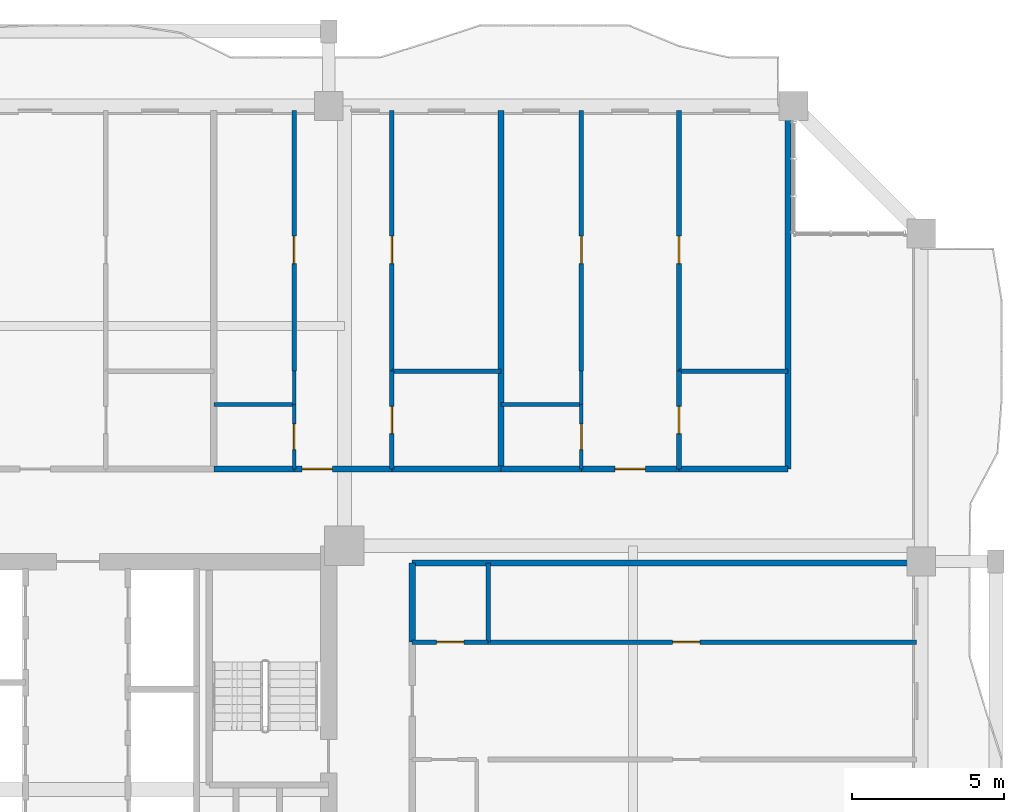
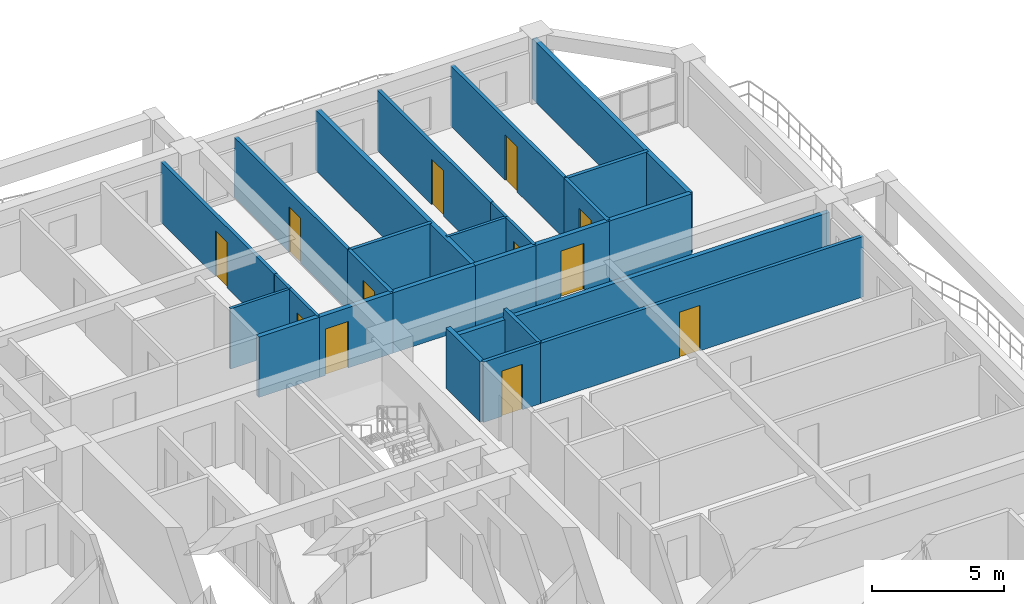
# One storey, part 20 of 26: 27 walls, 12 doors, 12 openings.
"""IFC4 building model written with IfcOpenShell, lengths in metres."""

from ifc_helpers import new_model, si_unit, direction, frame, frame_2d, origin, place, context, subcontext, project, spatial, rectangle, extrude, source, transform, mapped, material, layer, layer_set, type_object, element, fill, save


model = new_model("IFC4")

# Units and contexts
model_context = context("Model", 3, precision=1e-05, world=origin(), true_north=direction((0.0, 1.0)))
body_context = subcontext(model_context, "Body", "Model", "MODEL_VIEW")
ifc_project = project(units=[si_unit("LENGTHUNIT", "METRE"), si_unit("AREAUNIT", "SQUARE_METRE"), si_unit("VOLUMEUNIT", "CUBIC_METRE"), si_unit("PLANEANGLEUNIT", "RADIAN"), si_unit("MASSUNIT", "GRAM", prefix="KILO")], contexts=[model_context])

# Site, building, storey
site_placement = place(None, origin())
site = spatial("IfcSite", under=ifc_project, at=site_placement, CompositionType="ELEMENT")
building_placement = place(site_placement, origin())
building = spatial("IfcBuilding", under=site, at=building_placement, Name="Saelheon Loggia Tower", CompositionType="ELEMENT")
storey_placement = place(building_placement, frame((0.0, 0.0, 89.85009765625)))
storey = spatial("IfcBuildingStorey", under=building, at=storey_placement, Name="L28", CompositionType="ELEMENT", Elevation=89.85009765625)

# Wall
ifc_material_1 = material(Name="Lightweight Autoclaved Aerated Concrete Block and Acoustic Gypsum", Category="concrete")
ifc_layer_1 = layer(ifc_material_1, 0.14990234375)
ifc_layer_set_1 = layer_set([ifc_layer_1], Name="Lightweight Autoclaved Aerated Concrete Block and Acoustic Gypsum")
wall_type_1 = type_object("IfcWallType", Name="Wall_Part_150", PredefinedType="PARTITIONING", material=ifc_layer_set_1)
wall_1_placement = place(storey_placement, frame((46.577880859375, 42.27001953125, 0.0), z_axis=(0.0, 0.0, 1.0), x_axis=(1.0, 0.0, 0.0)))
element("IfcWall", 1, at=wall_1_placement, inside=storey, type_object=wall_type_1, Name="L28 N Partition V31", PredefinedType="PARTITIONING", context=body_context, shape_type="SweptSolid", body=[
    extrude(rectangle(XDim=3.59130859375, YDim=0.14990234375, at=frame_2d((1.795654296875, 0.0))), origin(), (0.0, 0.0, 1.0), 2.789794921875),
])

# Wall, opening, door
wall_2_placement = place(storey_placement, frame((43.36474609375, 42.27001953125, 0.0), z_axis=(0.0, 0.0, 1.0), x_axis=(0.0, 1.0, 0.0)))
wall_2 = element("IfcWall", 2, at=wall_2_placement, inside=storey, type_object=wall_type_1, Name="L28 N Partition U34", PredefinedType="PARTITIONING", context=body_context, shape_type="SweptSolid", body=[
    extrude(rectangle(XDim=8.580078125, YDim=0.14990234375, at=frame_2d((4.2900390625, 0.0))), origin(), (0.0, 0.0, 1.0), 2.789794921875),
])
opening_1_placement = place(wall_2_placement, frame((3.5400390625, 0.0, 0.0)))
opening_1 = element("IfcOpeningElement", 3, at=opening_1_placement, cuts=wall_2, Name="Opening D-IN2", PredefinedType="OPENING", context=body_context, shape_type="SweptSolid", body=[
    extrude(rectangle(XDim=0.89990234375, YDim=2.10009765625, at=frame_2d((0.449951171875, 1.050048828125))), frame((0.0, 0.0869140625, 0.0), z_axis=(0.0, -1.0, 0.0), x_axis=(1.0, 0.0, 0.0)), (0.0, 0.0, 1.0), 0.173828125),
])
ifc_material_2 = material(Name="Engineered Oak Flush Door", Category="timber")
door_type_1 = type_object("IfcDoorType", Name="Door_Int_900", OperationType="NOTDEFINED", PredefinedType="DOOR", material=ifc_material_2)
shared_shape_1 = source(origin(), body_context, "Body", "SweptSolid", [
    extrude(rectangle(XDim=0.89990234375, YDim=2.10009765625, at=frame_2d((0.449951171875, 1.050048828125))), frame((0.0, 0.02490234375, 0.0), z_axis=(0.0, -1.0, 0.0), x_axis=(1.0, 0.0, 0.0)), (0.0, 0.0, 1.0), 0.050048828125),
])
door_1_placement = place(opening_1_placement, origin())
door_1 = element("IfcDoor", 4, at=door_1_placement, inside=storey, type_object=door_type_1, Name="Unit U07 Kitchen Door", OperationType="SINGLE_SWING_RIGHT", OverallHeight=2.10009765625, OverallWidth=0.89990234375, PredefinedType="DOOR", context=body_context, shape_type="MappedRepresentation", body=[
    mapped(shared_shape_1, transform((0.0, 0.0, 0.0), scale=1.0)),
])
fill(opening_1, door_1)

wall_3_placement = place(storey_placement, frame((46.577880859375, 39.050048828125, 0.0), z_axis=(0.0, 0.0, 1.0), x_axis=(0.0, 1.0, 0.0)))
wall_3 = element("IfcWall", 5, at=wall_3_placement, inside=storey, type_object=wall_type_1, Name="L28 N Partition U35", PredefinedType="PARTITIONING", context=body_context, shape_type="SweptSolid", body=[
    extrude(rectangle(XDim=3.219970703125, YDim=0.14990234375, at=frame_2d((1.60986328125, 0.0))), origin(), (0.0, 0.0, 1.0), 2.789794921875),
])
opening_2_placement = place(wall_3_placement, frame((1.159912109375, 0.0, 0.0)))
opening_2 = element("IfcOpeningElement", 6, at=opening_2_placement, cuts=wall_3, Name="Opening D-IN2", PredefinedType="OPENING", context=body_context, shape_type="SweptSolid", body=[
    extrude(rectangle(XDim=0.89990234375, YDim=2.10009765625, at=frame_2d((0.449951171875, 1.050048828125))), frame((0.0, 0.0869140625, 0.0), z_axis=(0.0, -1.0, 0.0), x_axis=(1.0, 0.0, 0.0)), (0.0, 0.0, 1.0), 0.173828125),
])
door_2_placement = place(opening_2_placement, origin())
door_2 = element("IfcDoor", 7, at=door_2_placement, inside=storey, type_object=door_type_1, Name="Unit U07 Dressing Closet Door", OperationType="SINGLE_SWING_LEFT", OverallHeight=2.10009765625, OverallWidth=0.89990234375, PredefinedType="DOOR", context=body_context, shape_type="MappedRepresentation", body=[
    mapped(shared_shape_1, transform((0.0, 0.0, 0.0), scale=1.0)),
])
fill(opening_2, door_2)

wall_4_placement = place(storey_placement, frame((46.577880859375, 42.27001953125, 0.0), z_axis=(0.0, 0.0, 1.0), x_axis=(0.0, 1.0, 0.0)))
wall_4 = element("IfcWall", 8, at=wall_4_placement, inside=storey, type_object=wall_type_1, Name="L28 N Partition U36", PredefinedType="PARTITIONING", context=body_context, shape_type="SweptSolid", body=[
    extrude(rectangle(XDim=8.580078125, YDim=0.14990234375, at=frame_2d((4.2900390625, 0.0))), origin(), (0.0, 0.0, 1.0), 2.789794921875),
])
opening_3_placement = place(wall_4_placement, frame((3.5400390625, 0.0, 0.0)))
opening_3 = element("IfcOpeningElement", 9, at=opening_3_placement, cuts=wall_4, Name="Opening D-IN2", PredefinedType="OPENING", context=body_context, shape_type="SweptSolid", body=[
    extrude(rectangle(XDim=0.89990234375, YDim=2.10009765625, at=frame_2d((0.449951171875, 1.050048828125))), frame((0.0, 0.0869140625, 0.0), z_axis=(0.0, -1.0, 0.0), x_axis=(1.0, 0.0, 0.0)), (0.0, 0.0, 1.0), 0.173828125),
])
door_3_placement = place(opening_3_placement, origin())
door_3 = element("IfcDoor", 10, at=door_3_placement, inside=storey, type_object=door_type_1, Name="Unit U07 Bedroom 1 Door", OperationType="SINGLE_SWING_RIGHT", OverallHeight=2.10009765625, OverallWidth=0.89990234375, PredefinedType="DOOR", context=body_context, shape_type="MappedRepresentation", body=[
    mapped(shared_shape_1, transform((0.0, 0.0, 0.0), scale=1.0)),
])
fill(opening_3, door_3)

# Wall
wall_5_placement = place(storey_placement, frame((56.02880859375, 42.27001953125, 0.0), z_axis=(0.0, 0.0, 1.0), x_axis=(1.0, 0.0, 0.0)))
element("IfcWall", 11, at=wall_5_placement, inside=storey, type_object=wall_type_1, Name="L28 N Partition V42", PredefinedType="PARTITIONING", context=body_context, shape_type="SweptSolid", body=[
    extrude(rectangle(XDim=3.59130859375, YDim=0.14990234375, at=frame_2d((1.795654296875, 0.0))), origin(), (0.0, 0.0, 1.0), 2.789794921875),
])

# Wall, opening, door
wall_6_placement = place(storey_placement, frame((52.8154296875, 42.27001953125, 0.0), z_axis=(0.0, 0.0, 1.0), x_axis=(0.0, 1.0, 0.0)))
wall_6 = element("IfcWall", 12, at=wall_6_placement, inside=storey, type_object=wall_type_1, Name="L28 N Partition U45", PredefinedType="PARTITIONING", context=body_context, shape_type="SweptSolid", body=[
    extrude(rectangle(XDim=8.580078125, YDim=0.14990234375, at=frame_2d((4.2900390625, 0.0))), origin(), (0.0, 0.0, 1.0), 2.789794921875),
])
opening_4_placement = place(wall_6_placement, frame((3.5400390625, 0.0, 0.0)))
opening_4 = element("IfcOpeningElement", 13, at=opening_4_placement, cuts=wall_6, Name="Opening D-IN2", PredefinedType="OPENING", context=body_context, shape_type="SweptSolid", body=[
    extrude(rectangle(XDim=0.89990234375, YDim=2.10009765625, at=frame_2d((0.449951171875, 1.050048828125))), frame((0.0, 0.0869140625, 0.0), z_axis=(0.0, -1.0, 0.0), x_axis=(1.0, 0.0, 0.0)), (0.0, 0.0, 1.0), 0.173828125),
])
door_4_placement = place(opening_4_placement, origin())
door_4 = element("IfcDoor", 14, at=door_4_placement, inside=storey, type_object=door_type_1, Name="Unit U08 Kitchen Door", OperationType="SINGLE_SWING_LEFT", OverallHeight=2.10009765625, OverallWidth=0.89990234375, PredefinedType="DOOR", context=body_context, shape_type="MappedRepresentation", body=[
    mapped(shared_shape_1, transform((0.0, 0.0, 0.0), scale=1.0)),
])
fill(opening_4, door_4)

wall_7_placement = place(storey_placement, frame((56.02880859375, 39.050048828125, 0.0), z_axis=(0.0, 0.0, 1.0), x_axis=(0.0, 1.0, 0.0)))
wall_7 = element("IfcWall", 15, at=wall_7_placement, inside=storey, type_object=wall_type_1, Name="L28 N Partition U46", PredefinedType="PARTITIONING", context=body_context, shape_type="SweptSolid", body=[
    extrude(rectangle(XDim=3.219970703125, YDim=0.14990234375, at=frame_2d((1.60986328125, 0.0))), origin(), (0.0, 0.0, 1.0), 2.789794921875),
])
opening_5_placement = place(wall_7_placement, frame((1.159912109375, 0.0, 0.0)))
opening_5 = element("IfcOpeningElement", 16, at=opening_5_placement, cuts=wall_7, Name="Opening D-IN2", PredefinedType="OPENING", context=body_context, shape_type="SweptSolid", body=[
    extrude(rectangle(XDim=0.89990234375, YDim=2.10009765625, at=frame_2d((0.449951171875, 1.050048828125))), frame((0.0, 0.0869140625, 0.0), z_axis=(0.0, -1.0, 0.0), x_axis=(1.0, 0.0, 0.0)), (0.0, 0.0, 1.0), 0.173828125),
])
door_5_placement = place(opening_5_placement, origin())
door_5 = element("IfcDoor", 17, at=door_5_placement, inside=storey, type_object=door_type_1, Name="Unit U08 Dressing Closet Door", OperationType="SINGLE_SWING_RIGHT", OverallHeight=2.10009765625, OverallWidth=0.89990234375, PredefinedType="DOOR", context=body_context, shape_type="MappedRepresentation", body=[
    mapped(shared_shape_1, transform((0.0, 0.0, 0.0), scale=1.0)),
])
fill(opening_5, door_5)

wall_8_placement = place(storey_placement, frame((56.02880859375, 42.27001953125, 0.0), z_axis=(0.0, 0.0, 1.0), x_axis=(0.0, 1.0, 0.0)))
wall_8 = element("IfcWall", 18, at=wall_8_placement, inside=storey, type_object=wall_type_1, Name="L28 N Partition U47", PredefinedType="PARTITIONING", context=body_context, shape_type="SweptSolid", body=[
    extrude(rectangle(XDim=8.580078125, YDim=0.14990234375, at=frame_2d((4.2900390625, 0.0))), origin(), (0.0, 0.0, 1.0), 2.789794921875),
])
opening_6_placement = place(wall_8_placement, frame((3.5400390625, 0.0, 0.0)))
opening_6 = element("IfcOpeningElement", 19, at=opening_6_placement, cuts=wall_8, Name="Opening D-IN2", PredefinedType="OPENING", context=body_context, shape_type="SweptSolid", body=[
    extrude(rectangle(XDim=0.89990234375, YDim=2.10009765625, at=frame_2d((0.449951171875, 1.050048828125))), frame((0.0, 0.0869140625, 0.0), z_axis=(0.0, -1.0, 0.0), x_axis=(1.0, 0.0, 0.0)), (0.0, 0.0, 1.0), 0.173828125),
])
door_6_placement = place(opening_6_placement, origin())
door_6 = element("IfcDoor", 20, at=door_6_placement, inside=storey, type_object=door_type_1, Name="Unit U08 Bedroom 1 Door", OperationType="SINGLE_SWING_LEFT", OverallHeight=2.10009765625, OverallWidth=0.89990234375, PredefinedType="DOOR", context=body_context, shape_type="MappedRepresentation", body=[
    mapped(shared_shape_1, transform((0.0, 0.0, 0.0), scale=1.0)),
])
fill(opening_6, door_6)

# Wall
wall_9_placement = place(storey_placement, frame((49.75, 33.35009765625, 0.0), z_axis=(0.0, 0.0, 1.0), x_axis=(0.0, 1.0, 0.0)))
element("IfcWall", 21, at=wall_9_placement, inside=storey, type_object=wall_type_1, Name="L28 E Partition V17", PredefinedType="PARTITIONING", context=body_context, shape_type="SweptSolid", body=[
    extrude(rectangle(XDim=2.599853515625, YDim=0.14990234375, at=frame_2d((1.2998046875, 0.0))), origin(), (0.0, 0.0, 1.0), 2.789794921875),
])

# Wall, opening, door
wall_10_placement = place(storey_placement, frame((47.25, 33.35009765625, 0.0), z_axis=(0.0, 0.0, 1.0), x_axis=(1.0, 0.0, 0.0)))
wall_10 = element("IfcWall", 22, at=wall_10_placement, inside=storey, type_object=wall_type_1, Name="L28 E Partition U20", PredefinedType="PARTITIONING", context=body_context, shape_type="SweptSolid", body=[
    extrude(rectangle(XDim=2.5, YDim=0.14990234375, at=frame_2d((1.25, 0.0))), origin(), (0.0, 0.0, 1.0), 2.789794921875),
])
opening_7_placement = place(wall_10_placement, frame((0.800048828125, 0.0, 0.0)))
opening_7 = element("IfcOpeningElement", 23, at=opening_7_placement, cuts=wall_10, Name="Opening D-IN2", PredefinedType="OPENING", context=body_context, shape_type="SweptSolid", body=[
    extrude(rectangle(XDim=0.89990234375, YDim=2.10009765625, at=frame_2d((0.449951171875, 1.050048828125))), frame((0.0, 0.0869140625, 0.0), z_axis=(0.0, -1.0, 0.0), x_axis=(1.0, 0.0, 0.0)), (0.0, 0.0, 1.0), 0.173828125),
])
door_7_placement = place(opening_7_placement, origin())
door_7 = element("IfcDoor", 24, at=door_7_placement, inside=storey, type_object=door_type_1, Name="Unit U13 Dressing Closet Door", OperationType="SINGLE_SWING_RIGHT", OverallHeight=2.10009765625, OverallWidth=0.89990234375, PredefinedType="DOOR", context=body_context, shape_type="MappedRepresentation", body=[
    mapped(shared_shape_1, transform((0.0, 0.0, 0.0), scale=1.0)),
])
fill(opening_7, door_7)

wall_11_placement = place(storey_placement, frame((49.75, 33.35009765625, 0.0), z_axis=(0.0, 0.0, 1.0), x_axis=(1.0, 0.0, 0.0)))
wall_11 = element("IfcWall", 25, at=wall_11_placement, inside=storey, type_object=wall_type_1, Name="L28 E Partition U21", PredefinedType="PARTITIONING", context=body_context, shape_type="SweptSolid", body=[
    extrude(rectangle(XDim=14.10009765625, YDim=0.14990234375, at=frame_2d((7.050048828125, 0.0))), origin(), (0.0, 0.0, 1.0), 2.789794921875),
])
opening_8_placement = place(wall_11_placement, frame((6.070068359375, 0.0, 0.0)))
opening_8 = element("IfcOpeningElement", 26, at=opening_8_placement, cuts=wall_11, Name="Opening D-IN2", PredefinedType="OPENING", context=body_context, shape_type="SweptSolid", body=[
    extrude(rectangle(XDim=0.89990234375, YDim=2.10009765625, at=frame_2d((0.449951171875, 1.050048828125))), frame((0.0, 0.0869140625, 0.0), z_axis=(0.0, -1.0, 0.0), x_axis=(1.0, 0.0, 0.0)), (0.0, 0.0, 1.0), 0.173828125),
])
door_8_placement = place(opening_8_placement, origin())
door_8 = element("IfcDoor", 27, at=door_8_placement, inside=storey, type_object=door_type_1, Name="Unit U13 Bedroom 1 Door", OperationType="SINGLE_SWING_LEFT", OverallHeight=2.10009765625, OverallWidth=0.89990234375, PredefinedType="DOOR", context=body_context, shape_type="MappedRepresentation", body=[
    mapped(shared_shape_1, transform((0.0, 0.0, 0.0), scale=1.0)),
])
fill(opening_8, door_8)

# Walls
ifc_material_3 = material(Name="Double Acoustic Stud and Fireboard Partition", Category="gypsum")
ifc_layer_2 = layer(ifc_material_3, 0.199951171875)
ifc_layer_set_2 = layer_set([ifc_layer_2], Name="Double Acoustic Stud and Fireboard Partition")
wall_type_2 = type_object("IfcWallType", Name="Wall_Party_200", PredefinedType="PARTITIONING", material=ifc_layer_set_2)
wall_12_placement = place(storey_placement, frame((59.6201171875, 39.050048828125, 0.0), z_axis=(0.0, 0.0, 1.0), x_axis=(0.0, 1.0, 0.0)))
element("IfcWall", 28, at=wall_12_placement, inside=storey, type_object=wall_type_2, Name="L28 N Partition U02", PredefinedType="PARTITIONING", context=body_context, shape_type="SweptSolid", body=[
    extrude(rectangle(XDim=11.800048828125, YDim=0.199951171875, at=frame_2d((5.89990234375, 0.0))), origin(), (0.0, 0.0, 1.0), 2.789794921875),
])
wall_13_placement = place(storey_placement, frame((40.718505859375, 39.050048828125, 0.0), z_axis=(0.0, 0.0, 1.0), x_axis=(1.0, 0.0, 0.0)))
element("IfcWall", 29, at=wall_13_placement, inside=storey, type_object=wall_type_2, Name="L28 N Partition V27", PredefinedType="PARTITIONING", context=body_context, shape_type="SweptSolid", body=[
    extrude(rectangle(XDim=2.646240234375, YDim=0.199951171875, at=frame_2d((1.3232421875, 0.0))), origin(), (0.0, 0.0, 1.0), 2.789794921875),
])

# Wall, opening, door
wall_14_placement = place(storey_placement, frame((43.36474609375, 39.050048828125, 0.0), z_axis=(0.0, 0.0, 1.0), x_axis=(1.0, 0.0, 0.0)))
wall_14 = element("IfcWall", 30, at=wall_14_placement, inside=storey, type_object=wall_type_2, Name="L28 N Partition V28", PredefinedType="PARTITIONING", context=body_context, shape_type="SweptSolid", body=[
    extrude(rectangle(XDim=3.213134765625, YDim=0.199951171875, at=frame_2d((1.6064453125, 0.0))), origin(), (0.0, 0.0, 1.0), 2.789794921875),
])
opening_9_placement = place(wall_14_placement, frame((0.260009765625, 0.0, 0.0)))
opening_9 = element("IfcOpeningElement", 31, at=opening_9_placement, cuts=wall_14, Name="Opening D-FD1", PredefinedType="OPENING", context=body_context, shape_type="SweptSolid", body=[
    extrude(rectangle(XDim=1.0, YDim=2.14990234375, at=frame_2d((0.5, 1.074951171875))), frame((0.0, 0.112060546875, 0.0), z_axis=(0.0, -1.0, 0.0), x_axis=(1.0, 0.0, 0.0)), (0.0, 0.0, 1.0), 0.223876953125),
])
ifc_material_4 = material(Name="Fire-Rated Engineered Timber Entrance Door", Category="wood")
door_type_2 = type_object("IfcDoorType", Name="Door_Flat_FD30S", OperationType="NOTDEFINED", PredefinedType="DOOR", material=ifc_material_4)
shared_shape_2 = source(origin(), body_context, "Body", "SweptSolid", [
    extrude(rectangle(XDim=1.0, YDim=2.14990234375, at=frame_2d((0.5, 1.074951171875))), frame((0.0, 0.02490234375, 0.0), z_axis=(0.0, -1.0, 0.0), x_axis=(1.0, 0.0, 0.0)), (0.0, 0.0, 1.0), 0.050048828125),
])
door_9_placement = place(opening_9_placement, origin())
door_9 = element("IfcDoor", 32, at=door_9_placement, inside=storey, type_object=door_type_2, Name="Unit U07 Entrance Door", OperationType="SINGLE_SWING_RIGHT", OverallHeight=2.14990234375, OverallWidth=1.0, PredefinedType="DOOR", context=body_context, shape_type="MappedRepresentation", body=[
    mapped(shared_shape_2, transform((0.0, 0.0, 0.0), scale=1.0)),
])
fill(opening_9, door_9)

# Walls
wall_15_placement = place(storey_placement, frame((46.577880859375, 39.050048828125, 0.0), z_axis=(0.0, 0.0, 1.0), x_axis=(1.0, 0.0, 0.0)))
element("IfcWall", 33, at=wall_15_placement, inside=storey, type_object=wall_type_2, Name="L28 N Partition V29", PredefinedType="PARTITIONING", context=body_context, shape_type="SweptSolid", body=[
    extrude(rectangle(XDim=3.59130859375, YDim=0.199951171875, at=frame_2d((1.795654296875, 0.0))), origin(), (0.0, 0.0, 1.0), 2.789794921875),
])
wall_16_placement = place(storey_placement, frame((50.169189453125, 39.050048828125, 0.0), z_axis=(0.0, 0.0, 1.0), x_axis=(0.0, 1.0, 0.0)))
element("IfcWall", 34, at=wall_16_placement, inside=storey, type_object=wall_type_2, Name="L28 N Partition U37", PredefinedType="PARTITIONING", context=body_context, shape_type="SweptSolid", body=[
    extrude(rectangle(XDim=11.800048828125, YDim=0.199951171875, at=frame_2d((5.89990234375, 0.0))), origin(), (0.0, 0.0, 1.0), 2.789794921875),
])
wall_17_placement = place(storey_placement, frame((50.169189453125, 39.050048828125, 0.0), z_axis=(0.0, 0.0, 1.0), x_axis=(1.0, 0.0, 0.0)))
element("IfcWall", 35, at=wall_17_placement, inside=storey, type_object=wall_type_2, Name="L28 N Partition V38", PredefinedType="PARTITIONING", context=body_context, shape_type="SweptSolid", body=[
    extrude(rectangle(XDim=2.646240234375, YDim=0.199951171875, at=frame_2d((1.3232421875, 0.0))), origin(), (0.0, 0.0, 1.0), 2.789794921875),
])

# Wall, opening, door
wall_18_placement = place(storey_placement, frame((52.8154296875, 39.050048828125, 0.0), z_axis=(0.0, 0.0, 1.0), x_axis=(1.0, 0.0, 0.0)))
wall_18 = element("IfcWall", 36, at=wall_18_placement, inside=storey, type_object=wall_type_2, Name="L28 N Partition V39", PredefinedType="PARTITIONING", context=body_context, shape_type="SweptSolid", body=[
    extrude(rectangle(XDim=3.21337890625, YDim=0.199951171875, at=frame_2d((1.606689453125, 0.0))), origin(), (0.0, 0.0, 1.0), 2.789794921875),
])
opening_10_placement = place(wall_18_placement, frame((1.106689453125, 0.0, 0.0)))
opening_10 = element("IfcOpeningElement", 37, at=opening_10_placement, cuts=wall_18, Name="Opening D-FD1", PredefinedType="OPENING", context=body_context, shape_type="SweptSolid", body=[
    extrude(rectangle(XDim=1.0, YDim=2.14990234375, at=frame_2d((0.5, 1.074951171875))), frame((0.0, 0.112060546875, 0.0), z_axis=(0.0, -1.0, 0.0), x_axis=(1.0, 0.0, 0.0)), (0.0, 0.0, 1.0), 0.223876953125),
])
door_10_placement = place(opening_10_placement, origin())
door_10 = element("IfcDoor", 38, at=door_10_placement, inside=storey, type_object=door_type_2, Name="Unit U08 Entrance Door", OperationType="SINGLE_SWING_LEFT", OverallHeight=2.14990234375, OverallWidth=1.0, PredefinedType="DOOR", context=body_context, shape_type="MappedRepresentation", body=[
    mapped(shared_shape_2, transform((0.0, 0.0, 0.0), scale=1.0)),
])
fill(opening_10, door_10)

# Walls
wall_19_placement = place(storey_placement, frame((56.02880859375, 39.050048828125, 0.0), z_axis=(0.0, 0.0, 1.0), x_axis=(1.0, 0.0, 0.0)))
element("IfcWall", 39, at=wall_19_placement, inside=storey, type_object=wall_type_2, Name="L28 N Partition V40", PredefinedType="PARTITIONING", context=body_context, shape_type="SweptSolid", body=[
    extrude(rectangle(XDim=3.59130859375, YDim=0.199951171875, at=frame_2d((1.795654296875, 0.0))), origin(), (0.0, 0.0, 1.0), 2.789794921875),
])
wall_20_placement = place(storey_placement, frame((47.25, 35.949951171875, 0.0), z_axis=(0.0, 0.0, 1.0), x_axis=(1.0, 0.0, 0.0)))
element("IfcWall", 40, at=wall_20_placement, inside=storey, type_object=wall_type_2, Name="L28 E Partition U02", PredefinedType="PARTITIONING", context=body_context, shape_type="SweptSolid", body=[
    extrude(rectangle(XDim=16.60009765625, YDim=0.199951171875, at=frame_2d((8.300048828125, 0.0))), origin(), (0.0, 0.0, 1.0), 2.33984375),
])
wall_21_placement = place(storey_placement, frame((47.25, 33.35009765625, 0.0), z_axis=(0.0, 0.0, 1.0), x_axis=(0.0, 1.0, 0.0)))
element("IfcWall", 41, at=wall_21_placement, inside=storey, type_object=wall_type_2, Name="L28 E Partition V15", PredefinedType="PARTITIONING", context=body_context, shape_type="SweptSolid", body=[
    extrude(rectangle(XDim=2.599853515625, YDim=0.199951171875, at=frame_2d((1.2998046875, 0.0))), origin(), (0.0, 0.0, 1.0), 2.789794921875),
])
ifc_material_5 = material(Name="Moisture-Resistant Cement Board Partition", Category="gypsum")
ifc_layer_3 = layer(ifc_material_5, 0.1201171875)
ifc_layer_set_3 = layer_set([ifc_layer_3], Name="Moisture-Resistant Cement Board Partition")
wall_type_3 = type_object("IfcWallType", Name="Wall_WetPart_120", PredefinedType="PARTITIONING", material=ifc_layer_set_3)
wall_22_placement = place(storey_placement, frame((40.718505859375, 41.169921875, 0.0), z_axis=(0.0, 0.0, 1.0), x_axis=(1.0, 0.0, 0.0)))
element("IfcWall", 42, at=wall_22_placement, inside=storey, type_object=wall_type_3, Name="L28 N Partition V30", PredefinedType="PARTITIONING", context=body_context, shape_type="SweptSolid", body=[
    extrude(rectangle(XDim=2.646240234375, YDim=0.1201171875, at=frame_2d((1.3232421875, 0.0))), origin(), (0.0, 0.0, 1.0), 2.789794921875),
])

# Wall, opening, door
wall_23_placement = place(storey_placement, frame((43.36474609375, 39.050048828125, 0.0), z_axis=(0.0, 0.0, 1.0), x_axis=(0.0, 1.0, 0.0)))
wall_23 = element("IfcWall", 43, at=wall_23_placement, inside=storey, type_object=wall_type_3, Name="L28 N Partition U32", PredefinedType="PARTITIONING", context=body_context, shape_type="SweptSolid", body=[
    extrude(rectangle(XDim=2.119873046875, YDim=0.1201171875, at=frame_2d((1.06005859375, 0.0))), origin(), (0.0, 0.0, 1.0), 2.789794921875),
])
opening_11_placement = place(wall_23_placement, frame((0.635009765625, 0.0, 0.0)))
opening_11 = element("IfcOpeningElement", 44, at=opening_11_placement, cuts=wall_23, Name="Opening D-BT1", PredefinedType="OPENING", context=body_context, shape_type="SweptSolid", body=[
    extrude(rectangle(XDim=0.85009765625, YDim=2.050048828125, at=frame_2d((0.425048828125, 1.02490234375))), frame((0.0, 0.072021484375, 0.0), z_axis=(0.0, -1.0, 0.0), x_axis=(1.0, 0.0, 0.0)), (0.0, 0.0, 1.0), 0.14404296875),
])
ifc_material_6 = material(Name="Moisture-Resistant Laminate Timber Door", Category="wood")
door_type_3 = type_object("IfcDoorType", Name="Door_Bath_850", OperationType="NOTDEFINED", PredefinedType="DOOR", material=ifc_material_6)
shared_shape_3 = source(origin(), body_context, "Body", "SweptSolid", [
    extrude(rectangle(XDim=0.85009765625, YDim=2.050048828125, at=frame_2d((0.425048828125, 1.02490234375))), frame((0.0, 0.02490234375, 0.0), z_axis=(0.0, -1.0, 0.0), x_axis=(1.0, 0.0, 0.0)), (0.0, 0.0, 1.0), 0.050048828125),
])
door_11_placement = place(opening_11_placement, origin())
door_11 = element("IfcDoor", 45, at=door_11_placement, inside=storey, type_object=door_type_3, Name="Unit U07 Bathroom Door", OperationType="SINGLE_SWING_LEFT", OverallHeight=2.050048828125, OverallWidth=0.85009765625, PredefinedType="DOOR", context=body_context, shape_type="MappedRepresentation", body=[
    mapped(shared_shape_3, transform((0.0, 0.0, 0.0), scale=1.0)),
])
fill(opening_11, door_11)

# Walls
wall_24_placement = place(storey_placement, frame((43.36474609375, 41.169921875, 0.0), z_axis=(0.0, 0.0, 1.0), x_axis=(0.0, 1.0, 0.0)))
element("IfcWall", 46, at=wall_24_placement, inside=storey, type_object=wall_type_3, Name="L28 N Partition U33", PredefinedType="PARTITIONING", context=body_context, shape_type="SweptSolid", body=[
    extrude(rectangle(XDim=1.10009765625, YDim=0.1201171875, at=frame_2d((0.550048828125, 0.0))), origin(), (0.0, 0.0, 1.0), 2.789794921875),
])
wall_25_placement = place(storey_placement, frame((50.169189453125, 41.169921875, 0.0), z_axis=(0.0, 0.0, 1.0), x_axis=(1.0, 0.0, 0.0)))
element("IfcWall", 47, at=wall_25_placement, inside=storey, type_object=wall_type_3, Name="L28 N Partition V41", PredefinedType="PARTITIONING", context=body_context, shape_type="SweptSolid", body=[
    extrude(rectangle(XDim=2.646240234375, YDim=0.1201171875, at=frame_2d((1.3232421875, 0.0))), origin(), (0.0, 0.0, 1.0), 2.789794921875),
])

# Wall, opening, door
wall_26_placement = place(storey_placement, frame((52.8154296875, 39.050048828125, 0.0), z_axis=(0.0, 0.0, 1.0), x_axis=(0.0, 1.0, 0.0)))
wall_26 = element("IfcWall", 48, at=wall_26_placement, inside=storey, type_object=wall_type_3, Name="L28 N Partition U43", PredefinedType="PARTITIONING", context=body_context, shape_type="SweptSolid", body=[
    extrude(rectangle(XDim=2.119873046875, YDim=0.1201171875, at=frame_2d((1.06005859375, 0.0))), origin(), (0.0, 0.0, 1.0), 2.789794921875),
])
opening_12_placement = place(wall_26_placement, frame((0.635009765625, 0.0, 0.0)))
opening_12 = element("IfcOpeningElement", 49, at=opening_12_placement, cuts=wall_26, Name="Opening D-BT1", PredefinedType="OPENING", context=body_context, shape_type="SweptSolid", body=[
    extrude(rectangle(XDim=0.85009765625, YDim=2.050048828125, at=frame_2d((0.425048828125, 1.02490234375))), frame((0.0, 0.072021484375, 0.0), z_axis=(0.0, -1.0, 0.0), x_axis=(1.0, 0.0, 0.0)), (0.0, 0.0, 1.0), 0.14404296875),
])
door_12_placement = place(opening_12_placement, origin())
door_12 = element("IfcDoor", 50, at=door_12_placement, inside=storey, type_object=door_type_3, Name="Unit U08 Bathroom Door", OperationType="SINGLE_SWING_RIGHT", OverallHeight=2.050048828125, OverallWidth=0.85009765625, PredefinedType="DOOR", context=body_context, shape_type="MappedRepresentation", body=[
    mapped(shared_shape_3, transform((0.0, 0.0, 0.0), scale=1.0)),
])
fill(opening_12, door_12)

# Wall
wall_27_placement = place(storey_placement, frame((52.8154296875, 41.169921875, 0.0), z_axis=(0.0, 0.0, 1.0), x_axis=(0.0, 1.0, 0.0)))
element("IfcWall", 51, at=wall_27_placement, inside=storey, type_object=wall_type_3, Name="L28 N Partition U44", PredefinedType="PARTITIONING", context=body_context, shape_type="SweptSolid", body=[
    extrude(rectangle(XDim=1.10009765625, YDim=0.1201171875, at=frame_2d((0.550048828125, 0.0))), origin(), (0.0, 0.0, 1.0), 2.789794921875),
])

save(model, "model.ifc")
